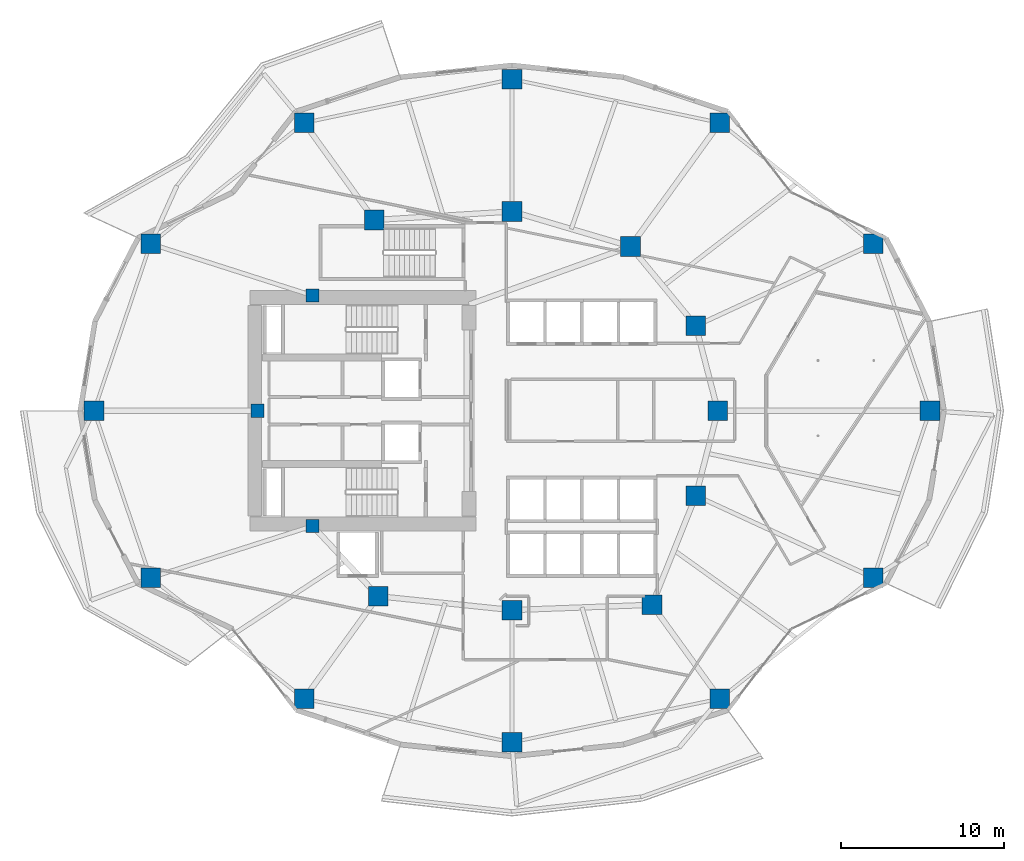
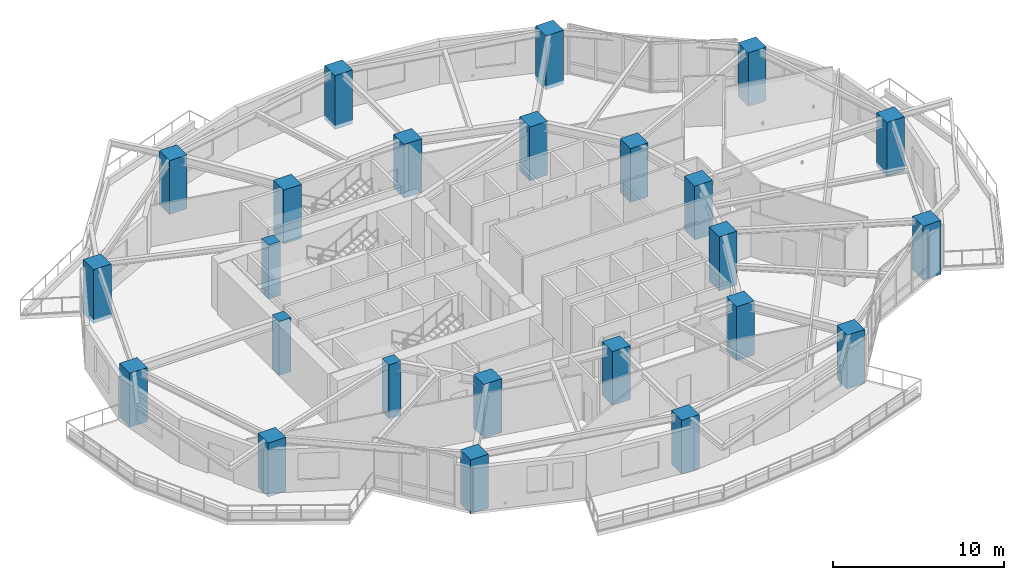
# One storey, part 1 of 18: 24 columns.
"""IFC4 building model written with IfcOpenShell, lengths in metres."""

from ifc_helpers import new_model, si_unit, direction, frame, origin, origin_2d, place, context, subcontext, project, spatial, rectangle, extrude, material, material_profile, profile_set, type_object, element, save


model = new_model("IFC4")

# Units and contexts
model_context = context("Model", 3, precision=1e-05, world=origin(), true_north=direction((0.0, 1.0)))
body_context = subcontext(model_context, "Body", "Model", "MODEL_VIEW")
ifc_project = project(units=[si_unit("LENGTHUNIT", "METRE"), si_unit("AREAUNIT", "SQUARE_METRE"), si_unit("VOLUMEUNIT", "CUBIC_METRE"), si_unit("PLANEANGLEUNIT", "RADIAN"), si_unit("MASSUNIT", "GRAM", prefix="KILO")], contexts=[model_context])

# Site, building, storey
site_placement = place(None, origin())
site = spatial("IfcSite", under=ifc_project, at=site_placement, CompositionType="ELEMENT")
building_placement = place(site_placement, origin())
building = spatial("IfcBuilding", under=site, at=building_placement, Name="Kolvaren Gate Tower and Convention Centre", CompositionType="ELEMENT")
storey_placement = place(building_placement, frame((0.0, 0.0, 61.14990234375)))
storey = spatial("IfcBuildingStorey", under=building, at=storey_placement, Name="L14", CompositionType="ELEMENT", Elevation=61.14990234375)

# Columns
ifc_material_1 = material(Name="Concrete C70/85", Category="concrete")
ifc_material_profile_1 = material_profile(ifc_material_1, rectangle(XDim=1.199951171875, YDim=1.199951171875, at=origin_2d()), Name="RC-COL-1200X1200")
ifc_profile_set_1 = profile_set([ifc_material_profile_1], Name="Concrete C70/85")
column_type_1 = type_object("IfcColumnType", Name="STR-COL-RC1200", PredefinedType="COLUMN", material=ifc_profile_set_1)
for number, where, z_axis, x_axis, name in (
    (1, (55.71240234375, 27.0, -0.27978515625), (0.0, 0.0, 1.0), (1.0, 0.0, 0.0), "Tower L14 Perimeter Supercolumn TP-01"),
    (2, (52.248779296875, 37.218505859375, -0.27978515625), (0.0, 0.0, 1.0), (1.0, 0.0, 0.0), "Tower L14 Perimeter Supercolumn TP-02"),
    (3, (42.846435546875, 44.627197265625, -0.27978515625), (0.0, 0.0, 1.0), (1.0, 0.0, 0.0), "Tower L14 Perimeter Supercolumn TP-03"),
    (4, (30.125, 47.300048828125, -0.27978515625), (0.0, 0.0, 1.0), (1.0, 0.0, 0.0), "Tower L14 Perimeter Supercolumn TP-04"),
    (5, (17.40380859375, 44.627197265625, -0.27978515625), (0.0, 0.0, 1.0), (1.0, 0.0, 0.0), "Tower L14 Perimeter Supercolumn TP-05"),
    (6, (8.001220703125, 37.218505859375, -0.27978515625), (0.0, 0.0, 1.0), (1.0, 0.0, 0.0), "Tower L14 Perimeter Supercolumn TP-06"),
    (7, (4.53759765625, 27.0, -0.27978515625), (0.0, 0.0, 1.0), (1.0, 0.0, 0.0), "Tower L14 Perimeter Supercolumn TP-07"),
    (8, (8.001220703125, 16.781494140625, -0.27978515625), (0.0, 0.0, 1.0), (1.0, 0.0, 0.0), "Tower L14 Perimeter Supercolumn TP-08"),
    (9, (17.403564453125, 9.372802734375, -0.27978515625), (0.0, 0.0, 1.0), (1.0, 0.0, 0.0), "Tower L14 Perimeter Supercolumn TP-09"),
    (10, (30.125, 6.699951171875, -0.27978515625), (0.0, 0.0, 1.0), (1.0, 0.0, 0.0), "Tower L14 Perimeter Supercolumn TP-10"),
    (11, (42.846435546875, 9.372802734375, -0.27978515625), (0.0, 0.0, 1.0), (1.0, 0.0, 0.0), "Tower L14 Perimeter Supercolumn TP-11"),
    (12, (52.248779296875, 16.781494140625, -0.27978515625), (0.0, 0.0, 1.0), (1.0, 0.0, 0.0), "Tower L14 Perimeter Supercolumn TP-12"),
    (13, (42.72509765625, 27.0, -0.27978515625), (0.0, 0.0, 1.0), (1.0, 0.0, 0.0), "Tower L14 Interior Column TI-01"),
    (14, (41.382080078125, 32.199462890625, -0.27978515625), (0.0, 0.0, 1.0), (1.0, 0.0, 0.0), "Tower L14 Interior Column TI-02"),
    (15, (37.381591796875, 37.054931640625, -0.27978515625), (0.0, 0.0, 1.0), (1.0, 0.0, 0.0), "Tower L14 Interior Column TI-03"),
    (16, (30.125, 39.199951171875, -0.27978515625), (0.0, 0.0, 1.0), (1.0, 0.0, 0.0), "Tower L14 Interior Column TI-04"),
    (17, (21.697998046875, 38.6767578125, -0.27978515625), (0.0, 0.0, 1.0), (1.0, 0.0, 0.0), "Tower L14 Interior Column TI-05"),
    (18, (21.93212890625, 15.647705078125, -0.27978515625), (0.0, 0.0, 1.0), (1.0, 0.0, 0.0), "Tower L14 Interior Column TI-06"),
    (19, (30.125, 14.800048828125, -0.27978515625), (0.0, 0.0, 1.0), (1.0, 0.0, 0.0), "Tower L14 Interior Column TI-07"),
    (20, (38.6982421875, 15.12060546875, -0.27978515625), (0.0, 0.0, 1.0), (1.0, 0.0, 0.0), "Tower L14 Interior Column TI-08"),
    (21, (41.382080078125, 21.800537109375, -0.27978515625), (0.0, 0.0, 1.0), (1.0, 0.0, 0.0), "Tower L14 Interior Column TI-09"),
):
    element("IfcColumn", number, at=place(storey_placement, frame(where, z_axis=z_axis, x_axis=x_axis)), inside=storey, type_object=column_type_1, Name=name, PredefinedType="COLUMN", context=body_context, shape_type="SweptSolid", body=[
        extrude(rectangle(XDim=1.199951171875, YDim=1.199951171875, at=origin_2d()), origin(), (0.0, 0.0, 1.0), 3.849853515625),
    ])
ifc_material_2 = material(Name="Concrete C60/75", Category="concrete")
ifc_material_profile_2 = material_profile(ifc_material_2, rectangle(XDim=0.800048828125, YDim=0.800048828125, at=origin_2d()), Name="RC-COL-800X800")
ifc_profile_set_2 = profile_set([ifc_material_profile_2], Name="Concrete C60/75")
column_type_2 = type_object("IfcColumnType", Name="STR-PIL-RC800", PredefinedType="PILASTER", material=ifc_profile_set_2)
for number, where, z_axis, x_axis, name in (
    (22, (17.9140625, 34.050048828125, -0.27978515625), (0.0, 0.0, 1.0), (1.0, 0.0, 0.0), "Tower L14 Core Boundary Pilaster TC-05"),
    (23, (14.550048828125, 27.0, -0.27978515625), (0.0, 0.0, 1.0), (1.0, 0.0, 0.0), "Tower L14 Core Boundary Pilaster TC-06"),
    (24, (17.9140625, 19.949951171875, -0.27978515625), (0.0, 0.0, 1.0), (1.0, 0.0, 0.0), "Tower L14 Core Boundary Pilaster TC-07"),
):
    element("IfcColumn", number, at=place(storey_placement, frame(where, z_axis=z_axis, x_axis=x_axis)), inside=storey, type_object=column_type_2, Name=name, PredefinedType="PILASTER", context=body_context, shape_type="SweptSolid", body=[
        extrude(rectangle(XDim=0.800048828125, YDim=0.800048828125, at=origin_2d()), origin(), (0.0, 0.0, 1.0), 3.849853515625),
    ])

save(model, "model.ifc")
